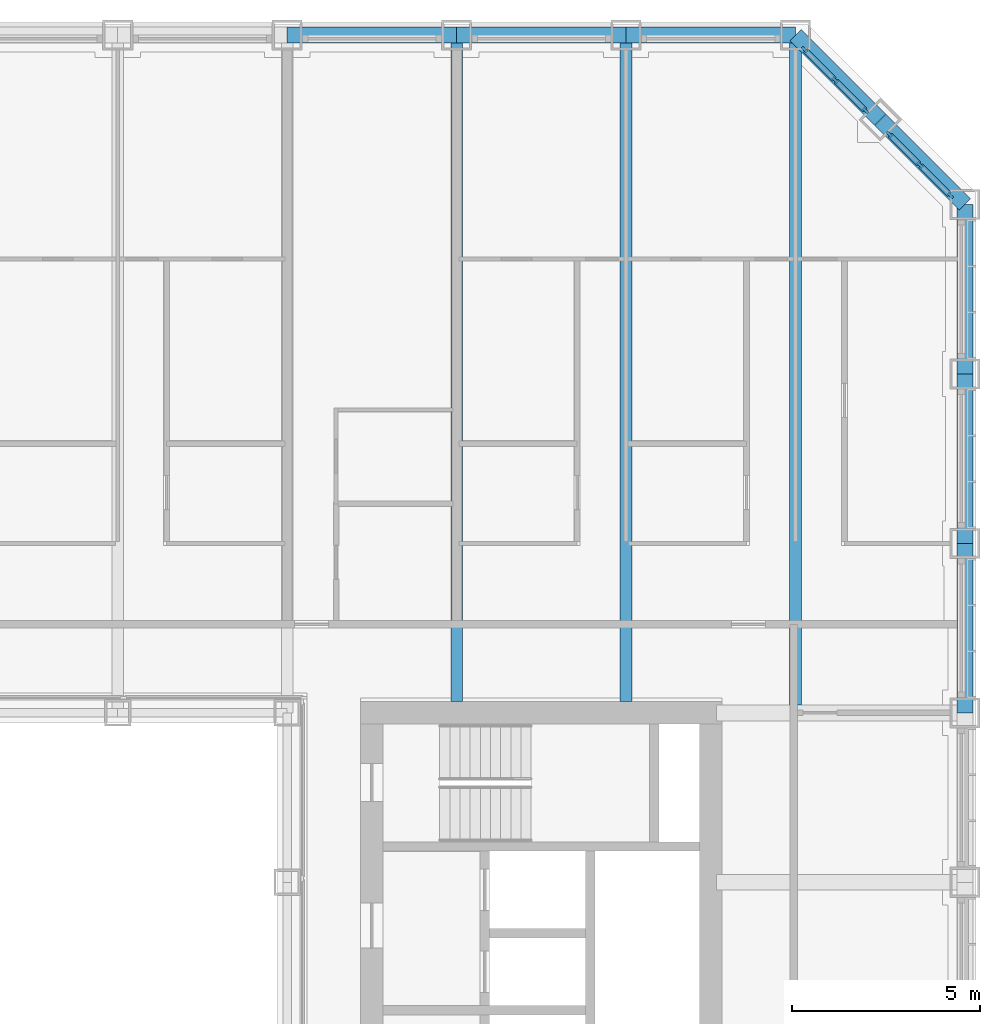
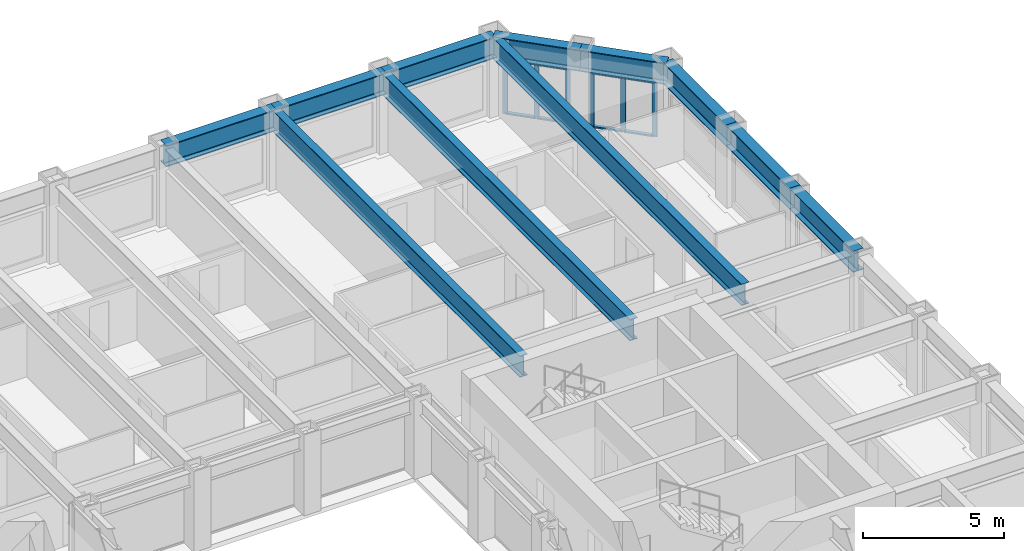
# One storey, part 7 of 20: 14 members, 11 beams, 2 elements without a shape of their own.
"""IFC4 building model written with IfcOpenShell, lengths in metres."""

from ifc_helpers import new_model, si_unit, direction, frame, origin, origin_2d, place, context, subcontext, project, spatial, rectangle, i_section, extrude, material, material_profile, profile_set, type_object, element, aggregate, save


model = new_model("IFC4")

# Units and contexts
model_context = context("Model", 3, precision=1e-05, world=origin(), true_north=direction((0.0, 1.0)))
body_context = subcontext(model_context, "Body", "Model", "MODEL_VIEW")
ifc_project = project(units=[si_unit("LENGTHUNIT", "METRE"), si_unit("AREAUNIT", "SQUARE_METRE"), si_unit("VOLUMEUNIT", "CUBIC_METRE"), si_unit("PLANEANGLEUNIT", "RADIAN"), si_unit("MASSUNIT", "GRAM", prefix="KILO")], contexts=[model_context])

# Site, building, storey
site_placement = place(None, origin())
site = spatial("IfcSite", under=ifc_project, at=site_placement, CompositionType="ELEMENT")
building_placement = place(site_placement, origin())
building = spatial("IfcBuilding", under=site, at=building_placement, Name="Msasa Ring Tower", CompositionType="ELEMENT")
storey_placement = place(building_placement, frame((0.0, 0.0, 58.0)))
storey = spatial("IfcBuildingStorey", under=building, at=storey_placement, Name="L14", CompositionType="ELEMENT", Elevation=58.0)

# Curtain wall, members
ifc_material_1 = material(Name="Aluminium curtain wall with clear glass", Category="aluminium")
curtain_wall_type = type_object("IfcCurtainWallType", Name="CW-C CHAMFER CORNER CURTAIN WALL", PredefinedType="NOTDEFINED", material=ifc_material_1)
curtain_wall_1_placement = place(storey_placement, origin())
curtain_wall_1 = element("IfcCurtainWall", 1, at=curtain_wall_1_placement, inside=storey, type_object=curtain_wall_type, Name="Chamfer corner curtain wall NE L14", PredefinedType="NOTDEFINED")
ifc_material_2 = material(Name="Aluminium mullion", Category="aluminium")
ifc_material_profile_1 = material_profile(ifc_material_2, rectangle(XDim=0.06494140625, YDim=0.179931640625, at=origin_2d()), Name="AL 65x180")
ifc_profile_set_1 = profile_set([ifc_material_profile_1], Name="Aluminium mullion")
member_type_1 = type_object("IfcMemberType", Name="CW-C MULLION 65x180", PredefinedType="MULLION", material=ifc_profile_set_1)
member_1_placement = place(storey_placement, frame((22.119873046875, 22.73876953125, 0.0), z_axis=(0.0, 0.0, 1.0), x_axis=(-0.707106781187, -0.707106781187, 0.0)))
member_1 = element("IfcMember", 2, at=member_1_placement, type_object=member_type_1, Name="CW-C mullion 1", PredefinedType="MULLION", context=body_context, shape_type="SweptSolid", body=[
    extrude(rectangle(XDim=0.06494140625, YDim=0.179931640625, at=origin_2d()), origin(), (0.0, 0.0, 1.0), 2.37890625),
])
member_2_placement = place(storey_placement, frame((21.30419921875, 23.55419921875, 0.0), z_axis=(0.0, 0.0, 1.0), x_axis=(-0.707106781187, -0.707106781187, 0.0)))
member_2 = element("IfcMember", 3, at=member_2_placement, type_object=member_type_1, Name="CW-C mullion 2", PredefinedType="MULLION", context=body_context, shape_type="SweptSolid", body=[
    extrude(rectangle(XDim=0.06494140625, YDim=0.179931640625, at=origin_2d()), origin(), (0.0, 0.0, 1.0), 2.37890625),
])
member_3_placement = place(storey_placement, frame((20.48876953125, 24.369873046875, 0.0), z_axis=(0.0, 0.0, 1.0), x_axis=(-0.707106781187, -0.707106781187, 0.0)))
member_3 = element("IfcMember", 4, at=member_3_placement, type_object=member_type_1, Name="CW-C mullion 3", PredefinedType="MULLION", context=body_context, shape_type="SweptSolid", body=[
    extrude(rectangle(XDim=0.06494140625, YDim=0.179931640625, at=origin_2d()), origin(), (0.0, 0.0, 1.0), 2.37890625),
])

curtain_wall_2_placement = place(storey_placement, origin())
curtain_wall_2 = element("IfcCurtainWall", 5, at=curtain_wall_2_placement, inside=storey, type_object=curtain_wall_type, Name="Chamfer corner curtain wall NE L14", PredefinedType="NOTDEFINED")
member_4_placement = place(storey_placement, frame((24.369873046875, 20.48876953125, 0.0), z_axis=(0.0, 0.0, 1.0), x_axis=(-0.707106781187, -0.707106781187, 0.0)))
member_4 = element("IfcMember", 6, at=member_4_placement, type_object=member_type_1, Name="CW-C mullion 1", PredefinedType="MULLION", context=body_context, shape_type="SweptSolid", body=[
    extrude(rectangle(XDim=0.06494140625, YDim=0.179931640625, at=origin_2d()), origin(), (0.0, 0.0, 1.0), 2.37890625),
])
member_5_placement = place(storey_placement, frame((23.55419921875, 21.30419921875, 0.0), z_axis=(0.0, 0.0, 1.0), x_axis=(-0.707106781187, -0.707106781187, 0.0)))
member_5 = element("IfcMember", 7, at=member_5_placement, type_object=member_type_1, Name="CW-C mullion 2", PredefinedType="MULLION", context=body_context, shape_type="SweptSolid", body=[
    extrude(rectangle(XDim=0.06494140625, YDim=0.179931640625, at=origin_2d()), origin(), (0.0, 0.0, 1.0), 2.37890625),
])
member_6_placement = place(storey_placement, frame((22.73876953125, 22.119873046875, 0.0), z_axis=(0.0, 0.0, 1.0), x_axis=(-0.707106781187, -0.707106781187, 0.0)))
member_6 = element("IfcMember", 8, at=member_6_placement, type_object=member_type_1, Name="CW-C mullion 3", PredefinedType="MULLION", context=body_context, shape_type="SweptSolid", body=[
    extrude(rectangle(XDim=0.06494140625, YDim=0.179931640625, at=origin_2d()), origin(), (0.0, 0.0, 1.0), 2.37890625),
])

# Member
ifc_material_3 = material(Name="Aluminium transom", Category="aluminium")
ifc_material_profile_2 = material_profile(ifc_material_3, rectangle(XDim=0.139892578125, YDim=0.06494140625, at=origin_2d()), Name="AL 65x140")
ifc_profile_set_2 = profile_set([ifc_material_profile_2], Name="Aluminium transom")
member_type_2 = type_object("IfcMemberType", Name="CW-C TRANSOM 65x140", PredefinedType="USERDEFINED", material=ifc_profile_set_2)
member_7_placement = place(storey_placement, frame((22.096923828125, 22.76171875, 0.032470703125), z_axis=(-0.707106781187, 0.707106781187, 0.0), x_axis=(-0.707106781187, -0.707106781187, 0.0)))
member_7 = element("IfcMember", 9, at=member_7_placement, type_object=member_type_2, Name="CW-C transom 1.1", ObjectType="TRANSOM", PredefinedType="USERDEFINED", context=body_context, shape_type="SweptSolid", body=[
    extrude(rectangle(XDim=0.139892578125, YDim=0.06494140625, at=origin_2d()), origin(), (0.0, 0.0, 1.0), 1.08837890625),
])

member_8_placement = place(storey_placement, frame((22.096923828125, 22.76171875, 2.346435546875), z_axis=(-0.707106781187, 0.707106781187, 0.0), x_axis=(-0.707106781187, -0.707106781187, 0.0)))
member_8 = element("IfcMember", 10, at=member_8_placement, type_object=member_type_2, Name="CW-C transom 1.2", ObjectType="TRANSOM", PredefinedType="USERDEFINED", context=body_context, shape_type="SweptSolid", body=[
    extrude(rectangle(XDim=0.139892578125, YDim=0.06494140625, at=origin_2d()), origin(), (0.0, 0.0, 1.0), 1.08837890625),
])

member_9_placement = place(storey_placement, frame((21.28125, 23.577392578125, 0.032470703125), z_axis=(-0.707106781187, 0.707106781187, 0.0), x_axis=(-0.707106781187, -0.707106781187, 0.0)))
member_9 = element("IfcMember", 11, at=member_9_placement, type_object=member_type_2, Name="CW-C transom 2.1", ObjectType="TRANSOM", PredefinedType="USERDEFINED", context=body_context, shape_type="SweptSolid", body=[
    extrude(rectangle(XDim=0.139892578125, YDim=0.06494140625, at=origin_2d()), origin(), (0.0, 0.0, 1.0), 1.08837890625),
])

member_10_placement = place(storey_placement, frame((21.28125, 23.577392578125, 2.346435546875), z_axis=(-0.707106781187, 0.707106781187, 0.0), x_axis=(-0.707106781187, -0.707106781187, 0.0)))
member_10 = element("IfcMember", 12, at=member_10_placement, type_object=member_type_2, Name="CW-C transom 2.2", ObjectType="TRANSOM", PredefinedType="USERDEFINED", context=body_context, shape_type="SweptSolid", body=[
    extrude(rectangle(XDim=0.139892578125, YDim=0.06494140625, at=origin_2d()), origin(), (0.0, 0.0, 1.0), 1.08837890625),
])

aggregate(curtain_wall_1, [member_1, member_2, member_3, member_7, member_8, member_9, member_10])

member_11_placement = place(storey_placement, frame((24.346923828125, 20.51171875, 0.032470703125), z_axis=(-0.707106781187, 0.707106781187, 0.0), x_axis=(-0.707106781187, -0.707106781187, 0.0)))
member_11 = element("IfcMember", 13, at=member_11_placement, type_object=member_type_2, Name="CW-C transom 1.1", ObjectType="TRANSOM", PredefinedType="USERDEFINED", context=body_context, shape_type="SweptSolid", body=[
    extrude(rectangle(XDim=0.139892578125, YDim=0.06494140625, at=origin_2d()), origin(), (0.0, 0.0, 1.0), 1.08837890625),
])

member_12_placement = place(storey_placement, frame((24.346923828125, 20.51171875, 2.346435546875), z_axis=(-0.707106781187, 0.707106781187, 0.0), x_axis=(-0.707106781187, -0.707106781187, 0.0)))
member_12 = element("IfcMember", 14, at=member_12_placement, type_object=member_type_2, Name="CW-C transom 1.2", ObjectType="TRANSOM", PredefinedType="USERDEFINED", context=body_context, shape_type="SweptSolid", body=[
    extrude(rectangle(XDim=0.139892578125, YDim=0.06494140625, at=origin_2d()), origin(), (0.0, 0.0, 1.0), 1.08837890625),
])

member_13_placement = place(storey_placement, frame((23.53125, 21.327392578125, 0.032470703125), z_axis=(-0.707106781187, 0.707106781187, 0.0), x_axis=(-0.707106781187, -0.707106781187, 0.0)))
member_13 = element("IfcMember", 15, at=member_13_placement, type_object=member_type_2, Name="CW-C transom 2.1", ObjectType="TRANSOM", PredefinedType="USERDEFINED", context=body_context, shape_type="SweptSolid", body=[
    extrude(rectangle(XDim=0.139892578125, YDim=0.06494140625, at=origin_2d()), origin(), (0.0, 0.0, 1.0), 1.08837890625),
])

member_14_placement = place(storey_placement, frame((23.53125, 21.327392578125, 2.346435546875), z_axis=(-0.707106781187, 0.707106781187, 0.0), x_axis=(-0.707106781187, -0.707106781187, 0.0)))
member_14 = element("IfcMember", 16, at=member_14_placement, type_object=member_type_2, Name="CW-C transom 2.2", ObjectType="TRANSOM", PredefinedType="USERDEFINED", context=body_context, shape_type="SweptSolid", body=[
    extrude(rectangle(XDim=0.139892578125, YDim=0.06494140625, at=origin_2d()), origin(), (0.0, 0.0, 1.0), 1.08837890625),
])

aggregate(curtain_wall_2, [member_4, member_5, member_6, member_11, member_12, member_13, member_14])

# Beams
ifc_material_4 = material(Name="Steel S355", Category="steel")
ifc_material_profile_3 = material_profile(ifc_material_4, i_section(OverallWidth=0.3076171875, OverallDepth=0.926513671875, WebThickness=0.01953125, FlangeThickness=0.031982421875, FilletRadius=0.01904296875, at=origin_2d()), Name="UB 914x305x289")
ifc_profile_set_3 = profile_set([ifc_material_profile_3], Name="Steel S355")
beam_type_1 = type_object("IfcBeamType", Name="FB3 UB 914x305x289", PredefinedType="BEAM", material=ifc_profile_set_3)
for number, where, z_axis, x_axis, name in (
    (17, (11.25, 24.75, 2.836669921875), (0.0, -1.0, 0.0), (1.0, 0.0, 0.0), "Floor beam N+11.25 under L15"),
    (18, (15.75, 24.75, 2.836669921875), (0.0, -1.0, 0.0), (1.0, 0.0, 0.0), "Floor beam N+15.75 under L15"),
):
    element("IfcBeam", number, at=place(storey_placement, frame(where, z_axis=z_axis, x_axis=x_axis)), inside=storey, type_object=beam_type_1, Name=name, PredefinedType="BEAM", context=body_context, shape_type="SweptSolid", body=[
        extrude(i_section(OverallWidth=0.3076171875, OverallDepth=0.926513671875, WebThickness=0.01953125, FlangeThickness=0.031982421875, FilletRadius=0.01904296875, at=origin_2d()), origin(), (0.0, 0.0, 1.0), 17.699951171875),
    ])
beam_placement = place(storey_placement, frame((20.25, 24.75, 2.836669921875), z_axis=(0.0, -1.0, 0.0), x_axis=(1.0, 0.0, 0.0)))
element("IfcBeam", 19, at=beam_placement, inside=storey, type_object=beam_type_1, Name="Floor beam N+20.25 under L15", PredefinedType="BEAM", context=body_context, shape_type="SweptSolid", body=[
    extrude(i_section(OverallWidth=0.3076171875, OverallDepth=0.926513671875, WebThickness=0.01953125, FlangeThickness=0.031982421875, FilletRadius=0.01904296875, at=origin_2d()), origin(), (0.0, 0.0, 1.0), 17.789794921875),
])
ifc_material_5 = material(Name="Steel S355", Category="steel")
ifc_material_profile_4 = material_profile(ifc_material_5, i_section(OverallWidth=0.42041015625, OverallDepth=0.9208984375, WebThickness=0.021484375, FlangeThickness=0.03662109375, FilletRadius=0.024169921875, at=origin_2d()), Name="UB 914x419x388")
ifc_profile_set_4 = profile_set([ifc_material_profile_4], Name="Steel S355")
beam_type_2 = type_object("IfcBeamType", Name="SB1 UB 914x419x388", PredefinedType="SPANDREL", material=ifc_profile_set_4)
for number, where, z_axis, x_axis, name in (
    (20, (24.75, 6.75, 2.839599609375), (0.0, 1.0, 0.0), (-1.0, 0.0, 0.0), "Spandrel E+6.75 to E+11.25 under L15"),
    (21, (24.75, 11.25, 2.839599609375), (0.0, 1.0, 0.0), (-1.0, 0.0, 0.0), "Spandrel E+11.25 to E+15.75 under L15"),
    (22, (24.75, 15.75, 2.839599609375), (0.0, 1.0, 0.0), (-1.0, 0.0, 0.0), "Spandrel E+15.75 to E+20.25 under L15"),
):
    element("IfcBeam", number, at=place(storey_placement, frame(where, z_axis=z_axis, x_axis=x_axis)), inside=storey, type_object=beam_type_2, Name=name, PredefinedType="SPANDREL", context=body_context, shape_type="SweptSolid", body=[
        extrude(i_section(OverallWidth=0.42041015625, OverallDepth=0.9208984375, WebThickness=0.021484375, FlangeThickness=0.03662109375, FilletRadius=0.024169921875, at=origin_2d()), origin(), (0.0, 0.0, 1.0), 4.5),
    ])
for number, where, z_axis, x_axis, name in (
    (23, (24.75, 20.25, 2.839599609375), (-0.707106781187, 0.707106781187, 0.0), (-0.707106781187, -0.707106781187, 0.0), "Spandrel E+20.25 to NE under L15"),
    (24, (22.5, 22.5, 2.839599609375), (-0.707106781187, 0.707106781187, 0.0), (-0.707106781187, -0.707106781187, 0.0), "Spandrel NE to N+20.25 under L15"),
):
    element("IfcBeam", number, at=place(storey_placement, frame(where, z_axis=z_axis, x_axis=x_axis)), inside=storey, type_object=beam_type_2, Name=name, PredefinedType="SPANDREL", context=body_context, shape_type="SweptSolid", body=[
        extrude(i_section(OverallWidth=0.42041015625, OverallDepth=0.9208984375, WebThickness=0.021484375, FlangeThickness=0.03662109375, FilletRadius=0.024169921875, at=origin_2d()), origin(), (0.0, 0.0, 1.0), 3.181884765625),
    ])
for number, where, z_axis, x_axis, name in (
    (25, (20.25, 24.75, 2.839599609375), (-1.0, 0.0, 0.0), (0.0, -1.0, 0.0), "Spandrel N+20.25 to N+15.75 under L15"),
    (26, (15.75, 24.75, 2.839599609375), (-1.0, 0.0, 0.0), (0.0, -1.0, 0.0), "Spandrel N+15.75 to N+11.25 under L15"),
    (27, (11.25, 24.75, 2.839599609375), (-1.0, 0.0, 0.0), (0.0, -1.0, 0.0), "Spandrel N+11.25 to N+6.75 under L15"),
):
    element("IfcBeam", number, at=place(storey_placement, frame(where, z_axis=z_axis, x_axis=x_axis)), inside=storey, type_object=beam_type_2, Name=name, PredefinedType="SPANDREL", context=body_context, shape_type="SweptSolid", body=[
        extrude(i_section(OverallWidth=0.42041015625, OverallDepth=0.9208984375, WebThickness=0.021484375, FlangeThickness=0.03662109375, FilletRadius=0.024169921875, at=origin_2d()), origin(), (0.0, 0.0, 1.0), 4.5),
    ])

save(model, "model.ifc")
